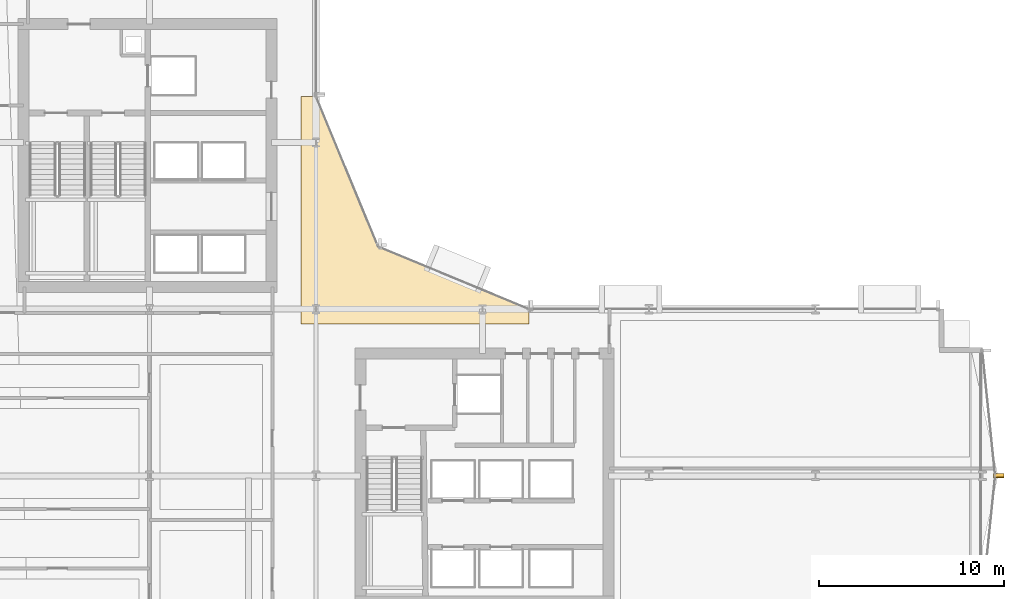
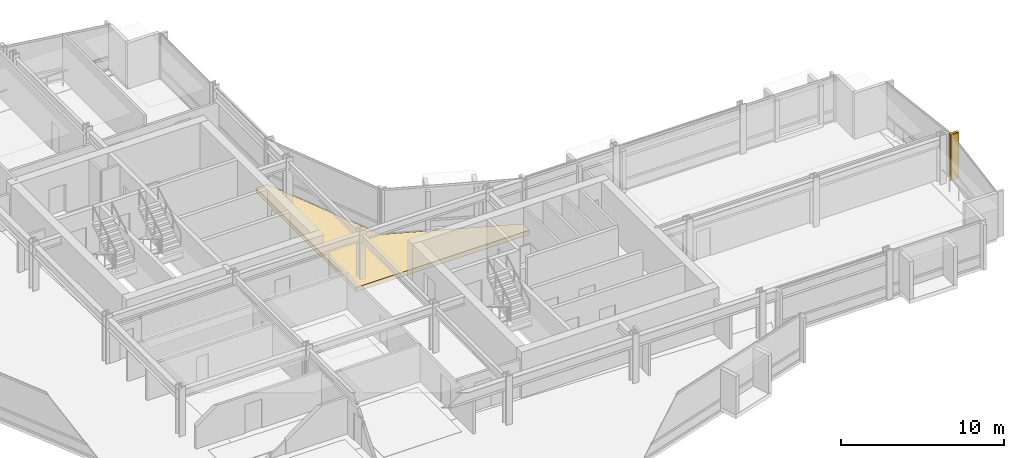
# One storey, part 34 of 34: 3 coverings.
"""IFC4 building model written with IfcOpenShell, lengths in metres."""

from ifc_helpers import new_model, si_unit, direction, frame, origin, origin_2d, place, context, subcontext, project, spatial, polyline, rectangle, outline, extrude, material, layer, layer_set, type_object, element, save


model = new_model("IFC4")

# Units and contexts
model_context = context("Model", 3, precision=1e-05, world=origin(), true_north=direction((0.0, 1.0)))
body_context = subcontext(model_context, "Body", "Model", "MODEL_VIEW")
ifc_project = project(units=[si_unit("LENGTHUNIT", "METRE"), si_unit("AREAUNIT", "SQUARE_METRE"), si_unit("VOLUMEUNIT", "CUBIC_METRE"), si_unit("PLANEANGLEUNIT", "RADIAN"), si_unit("MASSUNIT", "GRAM", prefix="KILO")], contexts=[model_context])

# Site, building, storey
site_placement = place(None, origin())
site = spatial("IfcSite", under=ifc_project, at=site_placement, CompositionType="ELEMENT")
building_placement = place(site_placement, origin())
building = spatial("IfcBuilding", under=site, at=building_placement, Name="Solvaryn Broadcast Tower", CompositionType="ELEMENT")
storey_placement = place(building_placement, frame((0.0, 0.0, 58.199951171875)))
storey = spatial("IfcBuildingStorey", under=building, at=storey_placement, Name="L13", CompositionType="ELEMENT", Elevation=58.199951171875)

# Coverings
ifc_material_1 = material(Name="Extruded Architectural Terracotta Fin", Category="masonry")
ifc_layer_1 = layer(ifc_material_1, 0.179931640625)
ifc_layer_set_1 = layer_set([ifc_layer_1], Name="CV-TC-FIN")
covering_type_1 = type_object("IfcCoveringType", Name="CV-TC-FIN", PredefinedType="USERDEFINED", material=ifc_layer_set_1)
for number, where, z_axis, x_axis, name in (
    (1, (63.884521484375, 18.02978515625, 0.0), (0.0, 0.0, 1.0), (1.0, 0.0, 0.0), "L13 Terracotta Vertical Fin FIN-L13-ET1-M01"),
    (2, (63.884521484375, 17.97021484375, 0.0), (0.0, 0.0, 1.0), (1.0, 0.0, 0.0), "L13 Terracotta Vertical Fin FIN-L13-ET2-M00"),
):
    element("IfcCovering", number, at=place(storey_placement, frame(where, z_axis=z_axis, x_axis=x_axis)), inside=storey, type_object=covering_type_1, Name=name, ObjectType="FIN", PredefinedType="USERDEFINED", context=body_context, shape_type="SweptSolid", body=[
        extrude(rectangle(XDim=0.580078125, YDim=0.179931640625, at=origin_2d()), origin(), (0.0, 0.0, 1.0), 3.419921875),
    ])
ifc_material_2 = material(Name="Sculpted Architectural Terracotta Wave Fascia", Category="masonry")
ifc_layer_2 = layer(ifc_material_2, 0.340087890625)
ifc_layer_set_2 = layer_set([ifc_layer_2], Name="CV-WAVE-TRAY")
covering_type_2 = type_object("IfcCoveringType", Name="CV-WAVE-TRAY", PredefinedType="CLADDING", material=ifc_layer_set_2)
covering_placement = place(storey_placement, frame((0.0, 0.0, -0.300048828125)))
element("IfcCovering", 3, at=covering_placement, inside=storey, type_object=covering_type_2, Name="L13 Concave Canyon Floor Apron", PredefinedType="CLADDING", context=body_context, shape_type="SweptSolid", body=[
    extrude(outline(polyline([(26.199951171875, 26.199951171875), (38.5, 26.199951171875), (38.5, 27.0), (30.367919921875, 30.367919921875), (27.0, 38.5), (26.199951171875, 38.5), (26.199951171875, 26.199951171875)])), origin(), (0.0, 0.0, 1.0), 0.330078125),
])

save(model, "model.ifc")
